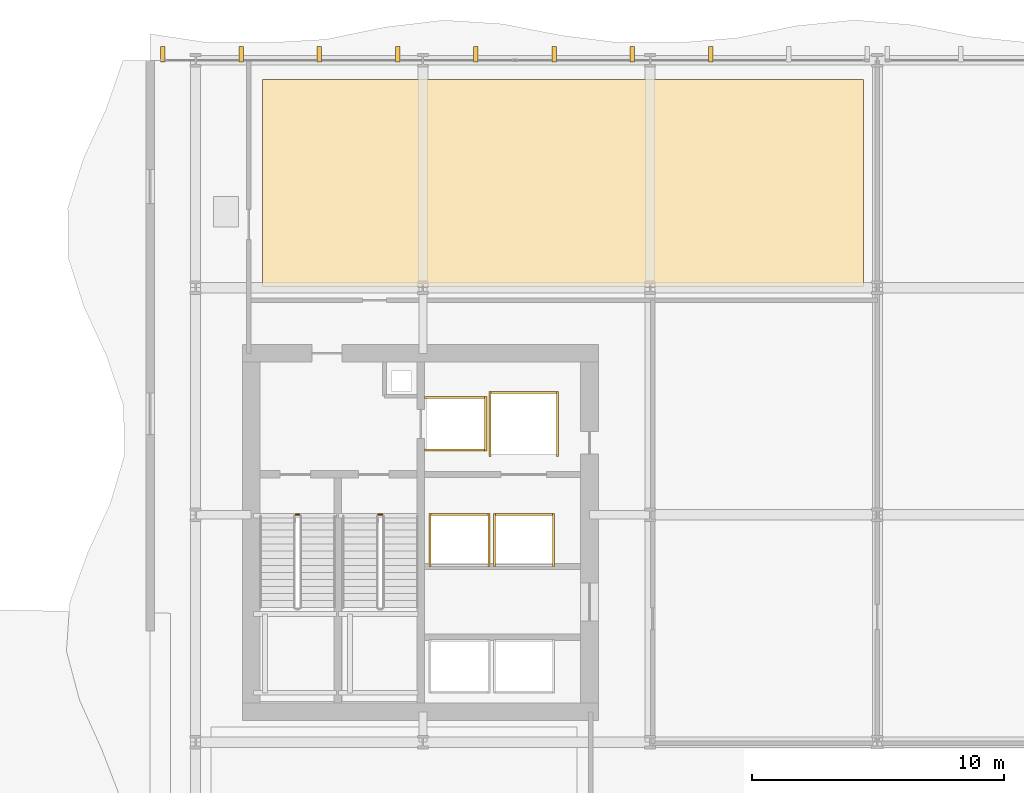
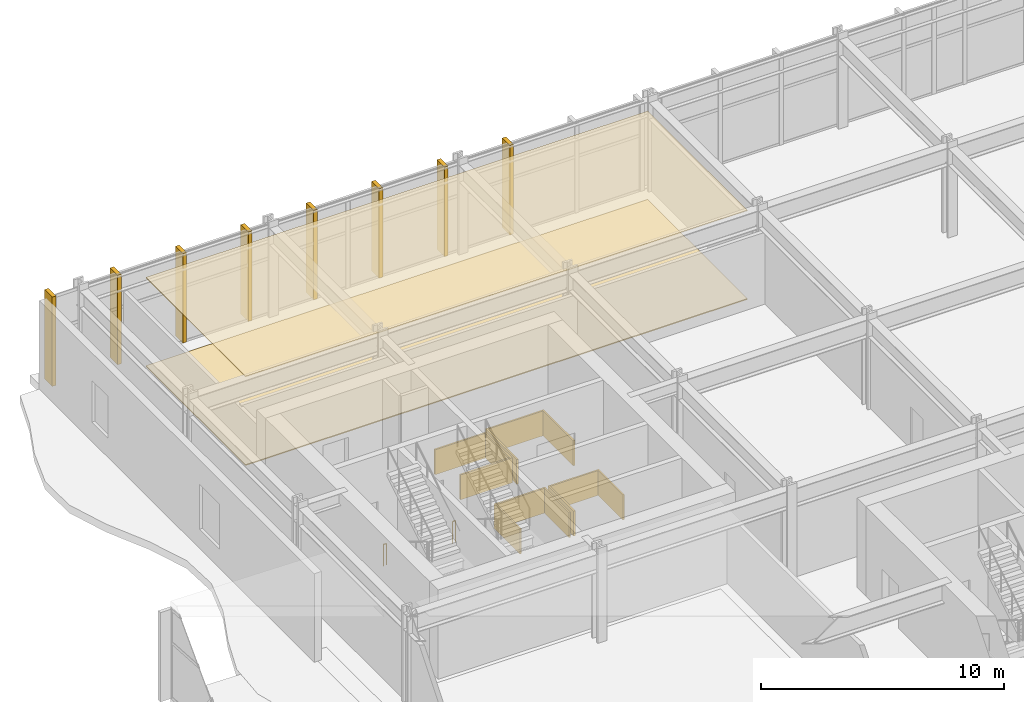
# One storey, part 27 of 29: 22 coverings, 2 railings.
"""IFC4 building model written with IfcOpenShell, lengths in metres."""

import ifcopenshell
import ifcopenshell.guid

model = None  # the IFC model being written
_history = None  # IfcOwnerHistory: only IFC2X3 demands one
_inside = {}  # id of a spatial element -> (the spatial element, [elements in it])
_under = {}  # id of a project, library or spatial element -> (it, [spatial elements below it])
_declared = {}  # id of a project -> (the project, [libraries it declares])
_typed = {}  # id of a type object -> (the type object, [elements of that type])
_made_of = {}  # id of a material, layer set ... -> (it, [elements and type objects made of it])


def new_model(schema):
    """Start an empty IFC model of exactly this schema.

    Asked for "IFC4X3", IfcOpenShell would pick the latest addendum, in which some entities
    have other attributes; the version numbers below select the first issue.
    IFC2X3 requires an IfcOwnerHistory on every rooted entity: one is made here for all.
    """
    global model, _history
    if schema == "IFC4X3":
        model = ifcopenshell.file(schema_version=(4, 3, 0, 0))
    else:
        model = ifcopenshell.file(schema=schema)
    _inside.clear()
    _under.clear()
    _declared.clear()
    _typed.clear()
    _made_of.clear()
    _history = None
    if model.schema == "IFC2X3":
        org = make("IfcOrganization", Name="unknown")
        user = make(
            "IfcPersonAndOrganization",
            ThePerson=make("IfcPerson", FamilyName="unknown"),
            TheOrganization=org,
        )
        app = make(
            "IfcApplication",
            ApplicationDeveloper=org,
            Version="unknown",
            ApplicationFullName="unknown",
            ApplicationIdentifier="unknown",
        )
        _history = make(
            "IfcOwnerHistory",
            OwningUser=user,
            OwningApplication=app,
            ChangeAction="ADDED",
            CreationDate=0,
        )
    return model


def make(cls, **values):
    """One entity of the class cls with the attributes given. An attribute that is None is left unset."""
    return model.create_entity(
        cls, **{name: value for name, value in values.items() if value is not None}
    )


def rooted(cls, **values):
    """An entity with a GlobalId (a new one), such as an element, a storey or a relation."""
    return make(cls, GlobalId=ifcopenshell.guid.new(), OwnerHistory=_history, **values)


def si_unit(unit_type, name, prefix=None):
    """IfcSIUnit, for example si_unit("LENGTHUNIT", "METRE", prefix="MILLI")."""
    return make("IfcSIUnit", UnitType=unit_type, Prefix=prefix, Name=name)


def assignment(units):
    """IfcUnitAssignment: the units of a project."""
    return None if units is None else make("IfcUnitAssignment", Units=units)


def point(xyz):
    """IfcCartesianPoint."""
    return None if xyz is None else make("IfcCartesianPoint", Coordinates=xyz)


def direction(xyz):
    """IfcDirection."""
    return None if xyz is None else make("IfcDirection", DirectionRatios=xyz)


def frame(location, z_axis=None, x_axis=None):
    """IfcAxis2Placement3D, a coordinate frame: its origin and axes. An axis left out is left unset."""
    return make(
        "IfcAxis2Placement3D",
        Location=point(location),
        Axis=direction(z_axis),
        RefDirection=direction(x_axis),
    )


def frame_2d(location, x_axis=None):
    """IfcAxis2Placement2D, a coordinate frame in the plane: its origin and x axis."""
    return make(
        "IfcAxis2Placement2D", Location=point(location), RefDirection=direction(x_axis)
    )


def origin():
    """The frame at (0, 0, 0) with its axes left unset."""
    return frame((0.0, 0.0, 0.0))


def origin_2d():
    """The frame at (0, 0) in the plane with its x axis left unset."""
    return frame_2d((0.0, 0.0))


def place(relative_to, where):
    """IfcLocalPlacement: puts the frame where relative to a parent placement (None: the world)."""
    return make(
        "IfcLocalPlacement", PlacementRelTo=relative_to, RelativePlacement=where
    )


def context(
    kind, dimensions, precision=None, world=None, true_north=None, identifier=None
):
    """IfcGeometricRepresentationContext, for example the 3D "Model" context."""
    return make(
        "IfcGeometricRepresentationContext",
        ContextIdentifier=identifier,
        ContextType=kind,
        CoordinateSpaceDimension=dimensions,
        Precision=precision,
        WorldCoordinateSystem=world,
        TrueNorth=true_north,
    )


def subcontext(parent, identifier, kind, view, scale=None):
    """IfcGeometricRepresentationSubContext, for example "Body" below "Model"."""
    return make(
        "IfcGeometricRepresentationSubContext",
        ContextIdentifier=identifier,
        ContextType=kind,
        ParentContext=parent,
        TargetScale=scale,
        TargetView=view,
    )


def project(units=None, contexts=None):
    """IfcProject with its units and contexts."""
    return rooted(
        "IfcProject",
        Name="project",
        RepresentationContexts=contexts,
        UnitsInContext=assignment(units),
    )


def spatial(cls, under=None, at=None, **own):
    """A site, building, storey or space (cls), placed at a placement, below another one or the project."""
    s = rooted(cls, ObjectPlacement=at, **own)
    if under is not None:
        _under.setdefault(under.id(), (under, []))[1].append(s)
    return s


def polyline(points):
    """IfcPolyline through the points."""
    return make("IfcPolyline", Points=[point(p) for p in points])


def profile(cls, at=None, kind="AREA", **sizes):
    """A parametric profile (cls). Its sizes go by their IFC names, for example OverallWidth=200.0."""
    return make(cls, ProfileType=kind, Position=at, **sizes)


def rectangle(**sizes):
    """IfcRectangleProfileDef."""
    return profile("IfcRectangleProfileDef", **sizes)


def circle(**sizes):
    """IfcCircleProfileDef."""
    return profile("IfcCircleProfileDef", **sizes)


def outline(outer, holes=None, kind="AREA"):
    """IfcArbitraryClosedProfileDef: a profile drawn as a closed curve; with holes, ...WithVoids."""
    if holes is None:
        return make("IfcArbitraryClosedProfileDef", ProfileType=kind, OuterCurve=outer)
    return make(
        "IfcArbitraryProfileDefWithVoids",
        ProfileType=kind,
        OuterCurve=outer,
        InnerCurves=holes,
    )


def extrude(swept, where, along, depth):
    """IfcExtrudedAreaSolid: the profile swept, set in the frame where, extruded along a direction by depth."""
    return make(
        "IfcExtrudedAreaSolid",
        SweptArea=swept,
        Position=where,
        ExtrudedDirection=direction(along),
        Depth=depth,
    )


def shape(context_of_items, identifier, shape_type, items):
    """IfcShapeRepresentation: the items that make up one representation, for example the "Body"."""
    return make(
        "IfcShapeRepresentation",
        ContextOfItems=context_of_items,
        RepresentationIdentifier=identifier,
        RepresentationType=shape_type,
        Items=items,
    )


def material(Name=None, Category=None):
    """IfcMaterial."""
    return make("IfcMaterial", Name=Name, Category=Category)


def layer(
    of_material, thickness, ventilated=None, Name=None, Category=None, Priority=None
):
    """IfcMaterialLayer: one layer of a wall or slab, of a material (None: an air gap)."""
    return make(
        "IfcMaterialLayer",
        Material=of_material,
        LayerThickness=thickness,
        IsVentilated=ventilated,
        Name=Name,
        Category=Category,
        Priority=Priority,
    )


def layer_set(layers, Name=None):
    """IfcMaterialLayerSet."""
    return make("IfcMaterialLayerSet", MaterialLayers=layers, LayerSetName=Name)


def made_of(thing, what):
    """Note that an element or type object is made of a material, layer set ...; save() writes the relation."""
    if what is not None:
        _made_of.setdefault(what.id(), (what, []))[1].append(thing)
    return thing


def type_object(cls, material=None, **own):
    """A type object (cls), such as IfcWallType, which elements share."""
    return made_of(rooted(cls, **own), material)


def element(
    cls,
    number,
    at=None,
    inside=None,
    cuts=None,
    type_object=None,
    material=None,
    context=None,
    identifier="Body",
    shape_type=None,
    held_by="IfcProductDefinitionShape",
    body=None,
    shapes=None,
    **own,
):
    """One element of the class cls, such as IfcWall. Its Tag is "e" and its number.

    at: its placement. inside: the storey or other place that contains it. cuts: it is an
    opening in that element (IfcRelVoidsElement). A single representation is given by context,
    identifier, shape_type and body (its items); several are given by shapes. held_by: the class
    of the entity that holds the representations. save() writes the other relations.
    """
    e = rooted(cls, Tag="e%d" % number, ObjectPlacement=at, **own)
    if body is not None:
        shapes = [shape(context, identifier, shape_type, body)]
    if shapes is not None:
        e.Representation = make(held_by, Representations=shapes)
    if inside is not None:
        _inside.setdefault(inside.id(), (inside, []))[1].append(e)
    if cuts is not None:
        rooted(
            "IfcRelVoidsElement", RelatingBuildingElement=cuts, RelatedOpeningElement=e
        )
    if type_object is not None:
        _typed.setdefault(type_object.id(), (type_object, []))[1].append(e)
    return made_of(e, material)


def aggregate(whole, parts):
    """IfcRelAggregates: a whole, such as a stair, and the parts it consists of."""
    return rooted("IfcRelAggregates", RelatingObject=whole, RelatedObjects=parts)


def save(model, path):
    """Write the relations noted so far, then the file.

    IfcRelAggregates (storeys below a building ...), IfcRelContainedInSpatialStructure (elements
    in a storey), IfcRelDefinesByType, IfcRelAssociatesMaterial and IfcRelDeclares: one each for
    every whole, place, type object, material and project.
    """
    for whole, parts in _under.values():
        aggregate(whole, parts)
    for where, things in _inside.values():
        rooted(
            "IfcRelContainedInSpatialStructure",
            RelatedElements=things,
            RelatingStructure=where,
        )
    for kind, things in _typed.values():
        rooted("IfcRelDefinesByType", RelatedObjects=things, RelatingType=kind)
    for what, things in _made_of.values():
        rooted("IfcRelAssociatesMaterial", RelatedObjects=things, RelatingMaterial=what)
    for by, libraries in _declared.values():
        rooted("IfcRelDeclares", RelatingContext=by, RelatedDefinitions=libraries)
    model.write(path)


model = new_model("IFC4")

# Units and contexts
model_context = context("Model", 3, precision=1e-05, world=origin(), true_north=direction((0.0, 1.0)))
body_context = subcontext(model_context, "Body", "Model", "MODEL_VIEW")
ifc_project = project(units=[si_unit("LENGTHUNIT", "METRE"), si_unit("AREAUNIT", "SQUARE_METRE"), si_unit("VOLUMEUNIT", "CUBIC_METRE"), si_unit("PLANEANGLEUNIT", "RADIAN"), si_unit("MASSUNIT", "GRAM", prefix="KILO")], contexts=[model_context])

# Site, building, storey
site_placement = place(None, origin())
site = spatial("IfcSite", under=ifc_project, at=site_placement, CompositionType="ELEMENT")
building_placement = place(site_placement, origin())
building = spatial("IfcBuilding", under=site, at=building_placement, Name="Solvaryn Broadcast Tower", CompositionType="ELEMENT")
storey_placement = place(building_placement, frame((0.0, 0.0, 21.199951171875)))
storey = spatial("IfcBuildingStorey", under=building, at=storey_placement, Name="L04", CompositionType="ELEMENT", Elevation=21.199951171875)

# Coverings
ifc_material_1 = material(Name="Studio Acoustic Mineral-Wool Baffle Ceiling", Category="concrete")
ifc_layer_1 = layer(ifc_material_1, 0.06005859375)
ifc_layer_set_1 = layer_set([ifc_layer_1], Name="CV-CEIL-BAFFLE")
covering_type_1 = type_object("IfcCoveringType", Name="CV-CEIL-BAFFLE", PredefinedType="CEILING", material=ifc_layer_set_1)
covering_1_placement = place(storey_placement, frame((0.0, 0.0, 4.43994140625)))
element("IfcCovering", 1, at=covering_1_placement, inside=storey, type_object=covering_type_1, Name="L04 Room Acoustic Ceiling 2", PredefinedType="CEILING", context=body_context, shape_type="SweptSolid", body=[
    extrude(outline(polyline([(11.64990234375, 45.050048828125), (35.449951171875, 45.050048828125), (35.449951171875, 53.25), (11.64990234375, 53.25), (11.64990234375, 45.050048828125)])), origin(), (0.0, 0.0, 1.0), 0.0400390625),
])
ifc_material_2 = material(Name="Isolated Broadcast Studio Floating Acoustic Floor", Category="concrete")
ifc_layer_2 = layer(ifc_material_2, 0.080078125)
ifc_layer_set_2 = layer_set([ifc_layer_2], Name="CV-FLOOR-STUDIO")
covering_type_2 = type_object("IfcCoveringType", Name="CV-FLOOR-STUDIO", PredefinedType="FLOORING", material=ifc_layer_set_2)
covering_2_placement = place(storey_placement, origin())
element("IfcCovering", 2, at=covering_2_placement, inside=storey, type_object=covering_type_2, Name="L04 Room Acoustic Floor Finish 2", PredefinedType="FLOORING", context=body_context, shape_type="SweptSolid", body=[
    extrude(outline(polyline([(11.64990234375, 45.050048828125), (35.449951171875, 45.050048828125), (35.449951171875, 53.25), (11.64990234375, 53.25), (11.64990234375, 45.050048828125)])), origin(), (0.0, 0.0, 1.0), 0.050048828125),
])
ifc_material_3 = material(Name="Fire-Rated Gypsum Shaftwall Liner", Category="concrete")
ifc_layer_3 = layer(ifc_material_3, 0.080078125)
ifc_layer_set_3 = layer_set([ifc_layer_3], Name="CV-SHAFT-LINER")
covering_type_3 = type_object("IfcCoveringType", Name="CV-SHAFT-LINER", PredefinedType="CLADDING", material=ifc_layer_set_3)
for number, where, z_axis, x_axis, name in (
    (3, (19.300048828125, 40.639892578125, 0.0), (0.0, 0.0, 1.0), (1.0, 0.0, 0.0), "L04 FL1 Hoistway Shaft Liner North"),
    (4, (19.300048828125, 38.56005859375, 0.0), (0.0, 0.0, 1.0), (1.0, 0.0, 0.0), "L04 FL1 Hoistway Shaft Liner South"),
):
    element("IfcCovering", number, at=place(storey_placement, frame(where, z_axis=z_axis, x_axis=x_axis)), inside=storey, type_object=covering_type_3, Name=name, PredefinedType="CLADDING", context=body_context, shape_type="SweptSolid", body=[
        extrude(rectangle(XDim=2.4599609375, YDim=0.080078125, at=origin_2d()), origin(), (0.0, 0.0, 1.0), 1.25),
    ])
covering_3_placement = place(storey_placement, frame((20.489990234375, 39.60009765625, 0.0), z_axis=(0.0, 0.0, 1.0), x_axis=(1.0, 0.0, 0.0)))
element("IfcCovering", 5, at=covering_3_placement, inside=storey, type_object=covering_type_3, Name="L04 FL1 Hoistway Shaft Liner East", PredefinedType="CLADDING", context=body_context, shape_type="SweptSolid", body=[
    extrude(rectangle(XDim=0.080078125, YDim=2.159912109375, at=origin_2d()), origin(), (0.0, 0.0, 1.0), 1.25),
])
covering_4_placement = place(storey_placement, frame((22.0, 40.840087890625, 0.0), z_axis=(0.0, 0.0, 1.0), x_axis=(1.0, 0.0, 0.0)))
element("IfcCovering", 6, at=covering_4_placement, inside=storey, type_object=covering_type_3, Name="L04 SV1 Hoistway Shaft Liner North", PredefinedType="CLADDING", context=body_context, shape_type="SweptSolid", body=[
    extrude(rectangle(XDim=2.760009765625, YDim=0.080078125, at=origin_2d()), origin(), (0.0, 0.0, 1.0), 1.25),
])
for number, where, z_axis, x_axis, name in (
    (7, (23.340087890625, 39.60009765625, 0.0), (0.0, 0.0, 1.0), (1.0, 0.0, 0.0), "L04 SV1 Hoistway Shaft Liner East"),
    (8, (20.659912109375, 39.60009765625, 0.0), (0.0, 0.0, 1.0), (1.0, 0.0, 0.0), "L04 SV1 Hoistway Shaft Liner West"),
):
    element("IfcCovering", number, at=place(storey_placement, frame(where, z_axis=z_axis, x_axis=x_axis)), inside=storey, type_object=covering_type_3, Name=name, PredefinedType="CLADDING", context=body_context, shape_type="SweptSolid", body=[
        extrude(rectangle(XDim=0.080078125, YDim=2.56005859375, at=origin_2d()), origin(), (0.0, 0.0, 1.0), 1.25),
    ])
covering_5_placement = place(storey_placement, frame((19.449951171875, 36.014892578125, 0.0), z_axis=(0.0, 0.0, 1.0), x_axis=(1.0, 0.0, 0.0)))
element("IfcCovering", 9, at=covering_5_placement, inside=storey, type_object=covering_type_3, Name="L04 PH3 Hoistway Shaft Liner North", PredefinedType="CLADDING", context=body_context, shape_type="SweptSolid", body=[
    extrude(rectangle(XDim=2.409912109375, YDim=0.080078125, at=origin_2d()), origin(), (0.0, 0.0, 1.0), 1.25),
])
for number, where, z_axis, x_axis, name in (
    (10, (20.614990234375, 35.0, 0.0), (0.0, 0.0, 1.0), (1.0, 0.0, 0.0), "L04 PH3 Hoistway Shaft Liner East"),
    (11, (18.284912109375, 35.0, 0.0), (0.0, 0.0, 1.0), (1.0, 0.0, 0.0), "L04 PH3 Hoistway Shaft Liner West"),
):
    element("IfcCovering", number, at=place(storey_placement, frame(where, z_axis=z_axis, x_axis=x_axis)), inside=storey, type_object=covering_type_3, Name=name, PredefinedType="CLADDING", context=body_context, shape_type="SweptSolid", body=[
        extrude(rectangle(XDim=0.080078125, YDim=2.110107421875, at=origin_2d()), origin(), (0.0, 0.0, 1.0), 1.25),
    ])
covering_6_placement = place(storey_placement, frame((22.0, 36.014892578125, 0.0), z_axis=(0.0, 0.0, 1.0), x_axis=(1.0, 0.0, 0.0)))
element("IfcCovering", 12, at=covering_6_placement, inside=storey, type_object=covering_type_3, Name="L04 PH4 Hoistway Shaft Liner North", PredefinedType="CLADDING", context=body_context, shape_type="SweptSolid", body=[
    extrude(rectangle(XDim=2.409912109375, YDim=0.080078125, at=origin_2d()), origin(), (0.0, 0.0, 1.0), 1.25),
])
for number, where, z_axis, x_axis, name in (
    (13, (23.1650390625, 35.0, 0.0), (0.0, 0.0, 1.0), (1.0, 0.0, 0.0), "L04 PH4 Hoistway Shaft Liner East"),
    (14, (20.8349609375, 35.0, 0.0), (0.0, 0.0, 1.0), (1.0, 0.0, 0.0), "L04 PH4 Hoistway Shaft Liner West"),
):
    element("IfcCovering", number, at=place(storey_placement, frame(where, z_axis=z_axis, x_axis=x_axis)), inside=storey, type_object=covering_type_3, Name=name, PredefinedType="CLADDING", context=body_context, shape_type="SweptSolid", body=[
        extrude(rectangle(XDim=0.080078125, YDim=2.110107421875, at=origin_2d()), origin(), (0.0, 0.0, 1.0), 1.25),
    ])
ifc_material_4 = material(Name="Extruded Architectural Terracotta Fin", Category="masonry")
ifc_layer_4 = layer(ifc_material_4, 0.179931640625)
ifc_layer_set_4 = layer_set([ifc_layer_4], Name="CV-TC-FIN")
covering_type_4 = type_object("IfcCoveringType", Name="CV-TC-FIN", PredefinedType="USERDEFINED", material=ifc_layer_set_4)
for number, where, z_axis, x_axis, name in (
    (15, (7.699951171875, 54.25, 0.0), (0.0, 0.0, 1.0), (1.0, 0.0, 0.0), "L04 Terracotta Vertical Fin FIN-POD-L04-N1-00"),
    (16, (10.800048828125, 54.25, 0.0), (0.0, 0.0, 1.0), (1.0, 0.0, 0.0), "L04 Terracotta Vertical Fin FIN-POD-L04-N1-01"),
    (17, (13.89990234375, 54.25, 0.0), (0.0, 0.0, 1.0), (1.0, 0.0, 0.0), "L04 Terracotta Vertical Fin FIN-POD-L04-N1-02"),
    (18, (17.0, 54.25, 0.0), (0.0, 0.0, 1.0), (1.0, 0.0, 0.0), "L04 Terracotta Vertical Fin FIN-POD-L04-N1-03"),
    (19, (20.10009765625, 54.25, 0.0), (0.0, 0.0, 1.0), (1.0, 0.0, 0.0), "L04 Terracotta Vertical Fin FIN-POD-L04-N1-04"),
    (20, (23.199951171875, 54.25, 0.0), (0.0, 0.0, 1.0), (1.0, 0.0, 0.0), "L04 Terracotta Vertical Fin FIN-POD-L04-N1-05"),
    (21, (26.300048828125, 54.25, 0.0), (0.0, 0.0, 1.0), (1.0, 0.0, 0.0), "L04 Terracotta Vertical Fin FIN-POD-L04-N1-06"),
    (22, (29.39990234375, 54.25, 0.0), (0.0, 0.0, 1.0), (1.0, 0.0, 0.0), "L04 Terracotta Vertical Fin FIN-POD-L04-N1-07"),
):
    element("IfcCovering", number, at=place(storey_placement, frame(where, z_axis=z_axis, x_axis=x_axis)), inside=storey, type_object=covering_type_4, Name=name, ObjectType="FIN", PredefinedType="USERDEFINED", context=body_context, shape_type="SweptSolid", body=[
        extrude(rectangle(XDim=0.179931640625, YDim=0.6201171875, at=origin_2d()), origin(), (0.0, 0.0, 1.0), 4.47998046875),
    ])

# Railings
ifc_material_5 = material(Name="Painted Steel Stair Well Guard", Category="steel")
railing_type = type_object("IfcRailingType", Name="RL-STAIR-GUARD", PredefinedType="BALUSTRADE", material=ifc_material_5)
railing_1_placement = place(storey_placement, frame((12.9599609375, 36.010009765625, 0.0)))
element("IfcRailing", 23, at=railing_1_placement, inside=storey, type_object=railing_type, Name="L04 ST1 stair guard 4", PredefinedType="BALUSTRADE", context=body_context, shape_type="SweptSolid", body=[
    extrude(circle(Radius=0.02392578125, at=origin_2d()), frame((0.0, 0.0, 1.076171875), z_axis=(1.0, 0.0, 0.0), x_axis=(0.0, 1.0, 0.0)), (0.0, 0.0, 1.0), 0.150146484375),
    extrude(circle(Radius=0.02099609375, at=origin_2d()), origin(), (0.0, 0.0, 1.0), 1.052001953125),
    extrude(circle(Radius=0.02099609375, at=origin_2d()), frame((0.150146484375, 0.0, 0.0)), (0.0, 0.0, 1.0), 1.052001953125),
])
railing_2_placement = place(storey_placement, frame((16.239990234375, 36.010009765625, 0.0)))
element("IfcRailing", 24, at=railing_2_placement, inside=storey, type_object=railing_type, Name="L04 ST2 stair guard 4", PredefinedType="BALUSTRADE", context=body_context, shape_type="SweptSolid", body=[
    extrude(circle(Radius=0.02392578125, at=origin_2d()), frame((0.0, 0.0, 1.076171875), z_axis=(1.0, 0.0, 0.0), x_axis=(0.0, 1.0, 0.0)), (0.0, 0.0, 1.0), 0.14990234375),
    extrude(circle(Radius=0.02099609375, at=origin_2d()), origin(), (0.0, 0.0, 1.0), 1.052001953125),
    extrude(circle(Radius=0.02099609375, at=origin_2d()), frame((0.14990234375, 0.0, 0.0)), (0.0, 0.0, 1.0), 1.052001953125),
])

save(model, "model.ifc")
